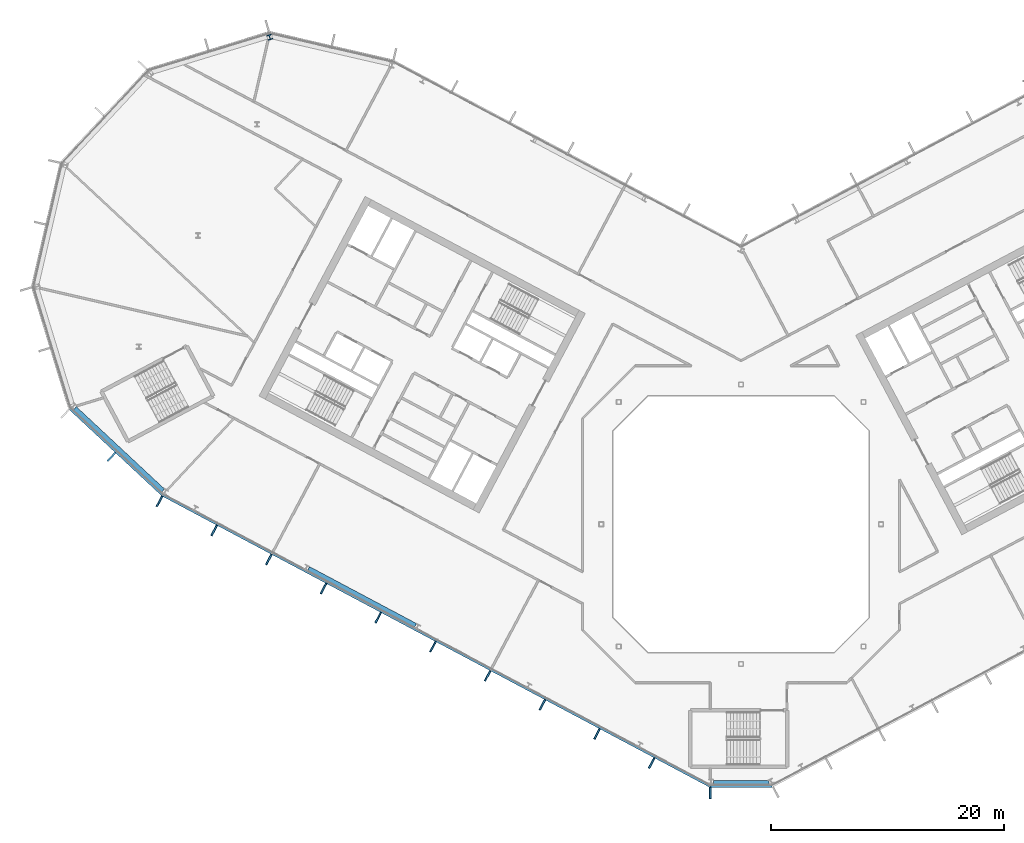
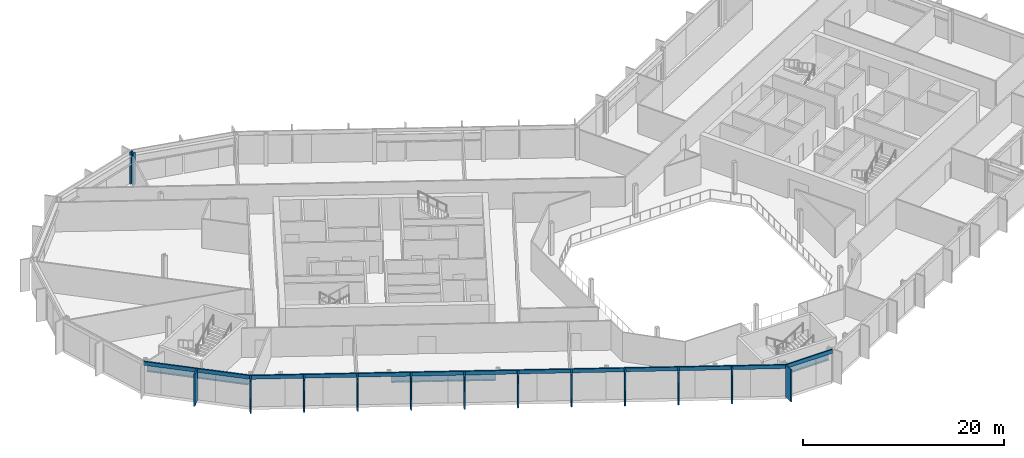
# One storey, part 8 of 26: 15 members, 3 beams, 1 column, 3 elements without a shape of their own.
"""IFC4 building model written with IfcOpenShell, lengths in metres."""

import ifcopenshell
import ifcopenshell.guid

model = None  # the IFC model being written
_history = None  # IfcOwnerHistory: only IFC2X3 demands one
_inside = {}  # id of a spatial element -> (the spatial element, [elements in it])
_under = {}  # id of a project, library or spatial element -> (it, [spatial elements below it])
_declared = {}  # id of a project -> (the project, [libraries it declares])
_typed = {}  # id of a type object -> (the type object, [elements of that type])
_made_of = {}  # id of a material, layer set ... -> (it, [elements and type objects made of it])


def new_model(schema):
    """Start an empty IFC model of exactly this schema.

    Asked for "IFC4X3", IfcOpenShell would pick the latest addendum, in which some entities
    have other attributes; the version numbers below select the first issue.
    IFC2X3 requires an IfcOwnerHistory on every rooted entity: one is made here for all.
    """
    global model, _history
    if schema == "IFC4X3":
        model = ifcopenshell.file(schema_version=(4, 3, 0, 0))
    else:
        model = ifcopenshell.file(schema=schema)
    _inside.clear()
    _under.clear()
    _declared.clear()
    _typed.clear()
    _made_of.clear()
    _history = None
    if model.schema == "IFC2X3":
        org = make("IfcOrganization", Name="unknown")
        user = make(
            "IfcPersonAndOrganization",
            ThePerson=make("IfcPerson", FamilyName="unknown"),
            TheOrganization=org,
        )
        app = make(
            "IfcApplication",
            ApplicationDeveloper=org,
            Version="unknown",
            ApplicationFullName="unknown",
            ApplicationIdentifier="unknown",
        )
        _history = make(
            "IfcOwnerHistory",
            OwningUser=user,
            OwningApplication=app,
            ChangeAction="ADDED",
            CreationDate=0,
        )
    return model


def make(cls, **values):
    """One entity of the class cls with the attributes given. An attribute that is None is left unset."""
    return model.create_entity(
        cls, **{name: value for name, value in values.items() if value is not None}
    )


def rooted(cls, **values):
    """An entity with a GlobalId (a new one), such as an element, a storey or a relation."""
    return make(cls, GlobalId=ifcopenshell.guid.new(), OwnerHistory=_history, **values)


def si_unit(unit_type, name, prefix=None):
    """IfcSIUnit, for example si_unit("LENGTHUNIT", "METRE", prefix="MILLI")."""
    return make("IfcSIUnit", UnitType=unit_type, Prefix=prefix, Name=name)


def assignment(units):
    """IfcUnitAssignment: the units of a project."""
    return None if units is None else make("IfcUnitAssignment", Units=units)


def point(xyz):
    """IfcCartesianPoint."""
    return None if xyz is None else make("IfcCartesianPoint", Coordinates=xyz)


def direction(xyz):
    """IfcDirection."""
    return None if xyz is None else make("IfcDirection", DirectionRatios=xyz)


def frame(location, z_axis=None, x_axis=None):
    """IfcAxis2Placement3D, a coordinate frame: its origin and axes. An axis left out is left unset."""
    return make(
        "IfcAxis2Placement3D",
        Location=point(location),
        Axis=direction(z_axis),
        RefDirection=direction(x_axis),
    )


def frame_2d(location, x_axis=None):
    """IfcAxis2Placement2D, a coordinate frame in the plane: its origin and x axis."""
    return make(
        "IfcAxis2Placement2D", Location=point(location), RefDirection=direction(x_axis)
    )


def origin():
    """The frame at (0, 0, 0) with its axes left unset."""
    return frame((0.0, 0.0, 0.0))


def origin_2d():
    """The frame at (0, 0) in the plane with its x axis left unset."""
    return frame_2d((0.0, 0.0))


def place(relative_to, where):
    """IfcLocalPlacement: puts the frame where relative to a parent placement (None: the world)."""
    return make(
        "IfcLocalPlacement", PlacementRelTo=relative_to, RelativePlacement=where
    )


def context(
    kind, dimensions, precision=None, world=None, true_north=None, identifier=None
):
    """IfcGeometricRepresentationContext, for example the 3D "Model" context."""
    return make(
        "IfcGeometricRepresentationContext",
        ContextIdentifier=identifier,
        ContextType=kind,
        CoordinateSpaceDimension=dimensions,
        Precision=precision,
        WorldCoordinateSystem=world,
        TrueNorth=true_north,
    )


def subcontext(parent, identifier, kind, view, scale=None):
    """IfcGeometricRepresentationSubContext, for example "Body" below "Model"."""
    return make(
        "IfcGeometricRepresentationSubContext",
        ContextIdentifier=identifier,
        ContextType=kind,
        ParentContext=parent,
        TargetScale=scale,
        TargetView=view,
    )


def project(units=None, contexts=None):
    """IfcProject with its units and contexts."""
    return rooted(
        "IfcProject",
        Name="project",
        RepresentationContexts=contexts,
        UnitsInContext=assignment(units),
    )


def spatial(cls, under=None, at=None, **own):
    """A site, building, storey or space (cls), placed at a placement, below another one or the project."""
    s = rooted(cls, ObjectPlacement=at, **own)
    if under is not None:
        _under.setdefault(under.id(), (under, []))[1].append(s)
    return s


def profile(cls, at=None, kind="AREA", **sizes):
    """A parametric profile (cls). Its sizes go by their IFC names, for example OverallWidth=200.0."""
    return make(cls, ProfileType=kind, Position=at, **sizes)


def rectangle(**sizes):
    """IfcRectangleProfileDef."""
    return profile("IfcRectangleProfileDef", **sizes)


def i_section(**sizes):
    """IfcIShapeProfileDef."""
    return profile("IfcIShapeProfileDef", **sizes)


def extrude(swept, where, along, depth):
    """IfcExtrudedAreaSolid: the profile swept, set in the frame where, extruded along a direction by depth."""
    return make(
        "IfcExtrudedAreaSolid",
        SweptArea=swept,
        Position=where,
        ExtrudedDirection=direction(along),
        Depth=depth,
    )


def shape(context_of_items, identifier, shape_type, items):
    """IfcShapeRepresentation: the items that make up one representation, for example the "Body"."""
    return make(
        "IfcShapeRepresentation",
        ContextOfItems=context_of_items,
        RepresentationIdentifier=identifier,
        RepresentationType=shape_type,
        Items=items,
    )


def material(Name=None, Category=None):
    """IfcMaterial."""
    return make("IfcMaterial", Name=Name, Category=Category)


def layer(
    of_material, thickness, ventilated=None, Name=None, Category=None, Priority=None
):
    """IfcMaterialLayer: one layer of a wall or slab, of a material (None: an air gap)."""
    return make(
        "IfcMaterialLayer",
        Material=of_material,
        LayerThickness=thickness,
        IsVentilated=ventilated,
        Name=Name,
        Category=Category,
        Priority=Priority,
    )


def layer_set(layers, Name=None):
    """IfcMaterialLayerSet."""
    return make("IfcMaterialLayerSet", MaterialLayers=layers, LayerSetName=Name)


def material_profile(
    of_material, cross_section, Name=None, Category=None, Priority=None
):
    """IfcMaterialProfile: a cross section and its material."""
    return make(
        "IfcMaterialProfile",
        Name=Name,
        Material=of_material,
        Profile=cross_section,
        Priority=Priority,
        Category=Category,
    )


def profile_set(profiles, Name=None, composite=None):
    """IfcMaterialProfileSet."""
    return make(
        "IfcMaterialProfileSet",
        Name=Name,
        MaterialProfiles=profiles,
        CompositeProfile=composite,
    )


def made_of(thing, what):
    """Note that an element or type object is made of a material, layer set ...; save() writes the relation."""
    if what is not None:
        _made_of.setdefault(what.id(), (what, []))[1].append(thing)
    return thing


def type_object(cls, material=None, **own):
    """A type object (cls), such as IfcWallType, which elements share."""
    return made_of(rooted(cls, **own), material)


def element(
    cls,
    number,
    at=None,
    inside=None,
    cuts=None,
    type_object=None,
    material=None,
    context=None,
    identifier="Body",
    shape_type=None,
    held_by="IfcProductDefinitionShape",
    body=None,
    shapes=None,
    **own,
):
    """One element of the class cls, such as IfcWall. Its Tag is "e" and its number.

    at: its placement. inside: the storey or other place that contains it. cuts: it is an
    opening in that element (IfcRelVoidsElement). A single representation is given by context,
    identifier, shape_type and body (its items); several are given by shapes. held_by: the class
    of the entity that holds the representations. save() writes the other relations.
    """
    e = rooted(cls, Tag="e%d" % number, ObjectPlacement=at, **own)
    if body is not None:
        shapes = [shape(context, identifier, shape_type, body)]
    if shapes is not None:
        e.Representation = make(held_by, Representations=shapes)
    if inside is not None:
        _inside.setdefault(inside.id(), (inside, []))[1].append(e)
    if cuts is not None:
        rooted(
            "IfcRelVoidsElement", RelatingBuildingElement=cuts, RelatedOpeningElement=e
        )
    if type_object is not None:
        _typed.setdefault(type_object.id(), (type_object, []))[1].append(e)
    return made_of(e, material)


def aggregate(whole, parts):
    """IfcRelAggregates: a whole, such as a stair, and the parts it consists of."""
    return rooted("IfcRelAggregates", RelatingObject=whole, RelatedObjects=parts)


def save(model, path):
    """Write the relations noted so far, then the file.

    IfcRelAggregates (storeys below a building ...), IfcRelContainedInSpatialStructure (elements
    in a storey), IfcRelDefinesByType, IfcRelAssociatesMaterial and IfcRelDeclares: one each for
    every whole, place, type object, material and project.
    """
    for whole, parts in _under.values():
        aggregate(whole, parts)
    for where, things in _inside.values():
        rooted(
            "IfcRelContainedInSpatialStructure",
            RelatedElements=things,
            RelatingStructure=where,
        )
    for kind, things in _typed.values():
        rooted("IfcRelDefinesByType", RelatedObjects=things, RelatingType=kind)
    for what, things in _made_of.values():
        rooted("IfcRelAssociatesMaterial", RelatedObjects=things, RelatingMaterial=what)
    for by, libraries in _declared.values():
        rooted("IfcRelDeclares", RelatingContext=by, RelatedDefinitions=libraries)
    model.write(path)


model = new_model("IFC4")

# Units and contexts
model_context = context("Model", 3, precision=1e-05, world=origin(), true_north=direction((0.0, 1.0)))
body_context = subcontext(model_context, "Body", "Model", "MODEL_VIEW")
ifc_project = project(units=[si_unit("LENGTHUNIT", "METRE"), si_unit("AREAUNIT", "SQUARE_METRE"), si_unit("VOLUMEUNIT", "CUBIC_METRE"), si_unit("PLANEANGLEUNIT", "RADIAN"), si_unit("MASSUNIT", "GRAM", prefix="KILO")], contexts=[model_context])

# Site, building, storey
site_placement = place(None, origin())
site = spatial("IfcSite", under=ifc_project, at=site_placement, CompositionType="ELEMENT")
building_placement = place(site_placement, origin())
building = spatial("IfcBuilding", under=site, at=building_placement, Name="Cormorant Relay Tower", CompositionType="ELEMENT")
storey_placement = place(building_placement, frame((0.0, 0.0, 236.39990234375)))
storey = spatial("IfcBuildingStorey", under=building, at=storey_placement, Name="L52", CompositionType="ELEMENT", Elevation=236.39990234375)

# Column
ifc_material_1 = material(Name="Steel ASTM A992 (Fy 345 MPa)", Category="steel")
ifc_material_profile_1 = material_profile(ifc_material_1, i_section(OverallWidth=0.41162109375, OverallDepth=0.434326171875, WebThickness=0.035888671875, FlangeThickness=0.057373046875, FilletRadius=0.01513671875, at=origin_2d()), Name="W360x463")
ifc_profile_set_1 = profile_set([ifc_material_profile_1], Name="Steel ASTM A992 (Fy 345 MPa)")
column_type = type_object("IfcColumnType", Name="Column W360x463", PredefinedType="COLUMN", material=ifc_profile_set_1)
column_placement = place(storey_placement, frame((-40.455078125, 41.803955078125, 0.0), z_axis=(0.0, 0.0, 1.0), x_axis=(-0.956304755963, -0.292371704723, 0.0)))
element("IfcColumn", 1, at=column_placement, inside=storey, type_object=column_type, Name="Column L52-045", PredefinedType="COLUMN", context=body_context, shape_type="SweptSolid", body=[
    extrude(i_section(OverallWidth=0.41162109375, OverallDepth=0.434326171875, WebThickness=0.035888671875, FlangeThickness=0.057373046875, FilletRadius=0.01513671875, at=origin_2d()), origin(), (0.0, 0.0, 1.0), 3.900146484375),
])

# Curtain wall, member
ifc_material_2 = material(Name="Aluminium 6063-T6 anodised bronze", Category="aluminium")
ifc_layer = layer(ifc_material_2, 0.199951171875)
ifc_layer_set = layer_set([ifc_layer], Name="CW1 unitised bronze curtain wall with vertical fins")
curtain_wall_type = type_object("IfcCurtainWallType", Name="CW1 unitised bronze curtain wall with vertical fins", PredefinedType="NOTDEFINED", material=ifc_layer_set)
curtain_wall_1_placement = place(storey_placement, origin())
curtain_wall_1 = element("IfcCurtainWall", 2, at=curtain_wall_1_placement, inside=storey, type_object=curtain_wall_type, Name="CW1 curtain wall 1", PredefinedType="NOTDEFINED")
ifc_material_3 = material(Name="Aluminium 6063-T6 anodised bronze", Category="aluminium")
ifc_material_profile_2 = material_profile(ifc_material_3, rectangle(XDim=0.14990234375, YDim=1.0, at=origin_2d()), Name="AL 150x1000")
ifc_profile_set_2 = profile_set([ifc_material_profile_2], Name="Aluminium 6063-T6 anodised bronze")
member_type_1 = type_object("IfcMemberType", Name="CW1 bronze fin mullion 150 x 1000", PredefinedType="MULLION", material=ifc_profile_set_2)
member_1_placement = place(storey_placement, frame((-2.648681640625, -23.07568359375, 0.0), z_axis=(0.0, 0.0, 1.0), x_axis=(1.0, 0.0, 0.0)))
member_1 = element("IfcMember", 3, at=member_1_placement, type_object=member_type_1, Name="CW1 fin 1.1", PredefinedType="MULLION", context=body_context, shape_type="SweptSolid", body=[
    extrude(rectangle(XDim=0.14990234375, YDim=1.0, at=origin_2d()), origin(), (0.0, 0.0, 1.0), 3.900146484375),
])

curtain_wall_2_placement = place(storey_placement, origin())
curtain_wall_2 = element("IfcCurtainWall", 4, at=curtain_wall_2_placement, inside=storey, type_object=curtain_wall_type, Name="CW1 curtain wall 15", PredefinedType="NOTDEFINED")
member_2_placement = place(storey_placement, frame((-54.0439453125, 5.779296875, 0.0), z_axis=(0.0, 0.0, 1.0), x_axis=(0.731353701619, -0.681998360062, 0.0)))
member_2 = element("IfcMember", 5, at=member_2_placement, type_object=member_type_1, Name="CW1 fin 15.2", PredefinedType="MULLION", context=body_context, shape_type="SweptSolid", body=[
    extrude(rectangle(XDim=0.14990234375, YDim=1.0, at=origin_2d()), origin(), (0.0, 0.0, 1.0), 3.900146484375),
])

# Curtain wall, members
curtain_wall_3_placement = place(storey_placement, origin())
curtain_wall_3 = element("IfcCurtainWall", 6, at=curtain_wall_3_placement, inside=storey, type_object=curtain_wall_type, Name="CW1 curtain wall 16", PredefinedType="NOTDEFINED")
member_3_placement = place(storey_placement, frame((-49.920166015625, 1.96630859375, 0.0), z_axis=(0.0, 0.0, 1.0), x_axis=(0.882947592859, -0.469471562786, 0.0)))
member_3 = element("IfcMember", 7, at=member_3_placement, type_object=member_type_1, Name="CW1 fin 16.1", PredefinedType="MULLION", context=body_context, shape_type="SweptSolid", body=[
    extrude(rectangle(XDim=0.14990234375, YDim=1.0, at=origin_2d()), origin(), (0.0, 0.0, 1.0), 3.900146484375),
])
member_4_placement = place(storey_placement, frame((-45.225830078125, -0.52978515625, 0.0), z_axis=(0.0, 0.0, 1.0), x_axis=(0.882947592859, -0.469471562786, 0.0)))
member_4 = element("IfcMember", 8, at=member_4_placement, type_object=member_type_1, Name="CW1 fin 16.2", PredefinedType="MULLION", context=body_context, shape_type="SweptSolid", body=[
    extrude(rectangle(XDim=0.14990234375, YDim=1.0, at=origin_2d()), origin(), (0.0, 0.0, 1.0), 3.900146484375),
])
member_5_placement = place(storey_placement, frame((-40.531494140625, -3.025634765625, 0.0), z_axis=(0.0, 0.0, 1.0), x_axis=(0.882947592859, -0.469471562786, 0.0)))
member_5 = element("IfcMember", 9, at=member_5_placement, type_object=member_type_1, Name="CW1 fin 16.3", PredefinedType="MULLION", context=body_context, shape_type="SweptSolid", body=[
    extrude(rectangle(XDim=0.14990234375, YDim=1.0, at=origin_2d()), origin(), (0.0, 0.0, 1.0), 3.900146484375),
])
member_6_placement = place(storey_placement, frame((-35.83740234375, -5.521728515625, 0.0), z_axis=(0.0, 0.0, 1.0), x_axis=(0.882947592859, -0.469471562786, 0.0)))
member_6 = element("IfcMember", 10, at=member_6_placement, type_object=member_type_1, Name="CW1 fin 16.4", PredefinedType="MULLION", context=body_context, shape_type="SweptSolid", body=[
    extrude(rectangle(XDim=0.14990234375, YDim=1.0, at=origin_2d()), origin(), (0.0, 0.0, 1.0), 3.900146484375),
])
member_7_placement = place(storey_placement, frame((-31.14306640625, -8.017578125, 0.0), z_axis=(0.0, 0.0, 1.0), x_axis=(0.882947592859, -0.469471562786, 0.0)))
member_7 = element("IfcMember", 11, at=member_7_placement, type_object=member_type_1, Name="CW1 fin 16.5", PredefinedType="MULLION", context=body_context, shape_type="SweptSolid", body=[
    extrude(rectangle(XDim=0.14990234375, YDim=1.0, at=origin_2d()), origin(), (0.0, 0.0, 1.0), 3.900146484375),
])
member_8_placement = place(storey_placement, frame((-26.44873046875, -10.513671875, 0.0), z_axis=(0.0, 0.0, 1.0), x_axis=(0.882947592859, -0.469471562786, 0.0)))
member_8 = element("IfcMember", 12, at=member_8_placement, type_object=member_type_1, Name="CW1 fin 16.6", PredefinedType="MULLION", context=body_context, shape_type="SweptSolid", body=[
    extrude(rectangle(XDim=0.14990234375, YDim=1.0, at=origin_2d()), origin(), (0.0, 0.0, 1.0), 3.900146484375),
])
member_9_placement = place(storey_placement, frame((-21.754638671875, -13.009765625, 0.0), z_axis=(0.0, 0.0, 1.0), x_axis=(0.882947592859, -0.469471562786, 0.0)))
member_9 = element("IfcMember", 13, at=member_9_placement, type_object=member_type_1, Name="CW1 fin 16.7", PredefinedType="MULLION", context=body_context, shape_type="SweptSolid", body=[
    extrude(rectangle(XDim=0.14990234375, YDim=1.0, at=origin_2d()), origin(), (0.0, 0.0, 1.0), 3.900146484375),
])
member_10_placement = place(storey_placement, frame((-17.060302734375, -15.505615234375, 0.0), z_axis=(0.0, 0.0, 1.0), x_axis=(0.882947592859, -0.469471562786, 0.0)))
member_10 = element("IfcMember", 14, at=member_10_placement, type_object=member_type_1, Name="CW1 fin 16.8", PredefinedType="MULLION", context=body_context, shape_type="SweptSolid", body=[
    extrude(rectangle(XDim=0.14990234375, YDim=1.0, at=origin_2d()), origin(), (0.0, 0.0, 1.0), 3.900146484375),
])
member_11_placement = place(storey_placement, frame((-12.365966796875, -18.001708984375, 0.0), z_axis=(0.0, 0.0, 1.0), x_axis=(0.882947592859, -0.469471562786, 0.0)))
member_11 = element("IfcMember", 15, at=member_11_placement, type_object=member_type_1, Name="CW1 fin 16.9", PredefinedType="MULLION", context=body_context, shape_type="SweptSolid", body=[
    extrude(rectangle(XDim=0.14990234375, YDim=1.0, at=origin_2d()), origin(), (0.0, 0.0, 1.0), 3.900146484375),
])
member_12_placement = place(storey_placement, frame((-7.671630859375, -20.49755859375, 0.0), z_axis=(0.0, 0.0, 1.0), x_axis=(0.882947592859, -0.469471562786, 0.0)))
member_12 = element("IfcMember", 16, at=member_12_placement, type_object=member_type_1, Name="CW1 fin 16.10", PredefinedType="MULLION", context=body_context, shape_type="SweptSolid", body=[
    extrude(rectangle(XDim=0.14990234375, YDim=1.0, at=origin_2d()), origin(), (0.0, 0.0, 1.0), 3.900146484375),
])

# Member
ifc_material_4 = material(Name="Aluminium 6063-T6 anodised bronze", Category="aluminium")
ifc_material_profile_3 = material_profile(ifc_material_4, rectangle(XDim=0.159912109375, YDim=0.449951171875, at=origin_2d()), Name="AL 160x450")
ifc_profile_set_3 = profile_set([ifc_material_profile_3], Name="Aluminium 6063-T6 anodised bronze")
member_type_2 = type_object("IfcMemberType", Name="CW1 bronze transom 160 x 450", PredefinedType="USERDEFINED", material=ifc_profile_set_3)
member_13_placement = place(storey_placement, frame((-2.648681640625, -22.49560546875, 3.675048828125), z_axis=(1.0, 0.0, 0.0), x_axis=(0.0, 1.0, 0.0)))
member_13 = element("IfcMember", 17, at=member_13_placement, type_object=member_type_2, Name="CW1 transom 1", ObjectType="TRANSOM", PredefinedType="USERDEFINED", context=body_context, shape_type="SweptSolid", body=[
    extrude(rectangle(XDim=0.159912109375, YDim=0.449951171875, at=origin_2d()), origin(), (0.0, 0.0, 1.0), 5.29736328125),
])

aggregate(curtain_wall_1, [member_1, member_13])

member_14_placement = place(storey_placement, frame((-57.62353515625, 9.91015625, 3.675048828125), z_axis=(0.731358420696, -0.681993299437, 0.0), x_axis=(0.681993299437, 0.731358420696, 0.0)))
member_14 = element("IfcMember", 18, at=member_14_placement, type_object=member_type_2, Name="CW1 transom 15", ObjectType="TRANSOM", PredefinedType="USERDEFINED", context=body_context, shape_type="SweptSolid", body=[
    extrude(rectangle(XDim=0.159912109375, YDim=0.449951171875, at=origin_2d()), origin(), (0.0, 0.0, 1.0), 10.870361328125),
])

aggregate(curtain_wall_2, [member_2, member_14])

member_15_placement = place(storey_placement, frame((-49.64794921875, 2.478515625, 3.675048828125), z_axis=(0.882947642542, -0.469471469346, 0.0), x_axis=(0.469471469346, 0.882947642542, 0.0)))
member_15 = element("IfcMember", 19, at=member_15_placement, type_object=member_type_2, Name="CW1 transom 16", ObjectType="TRANSOM", PredefinedType="USERDEFINED", context=body_context, shape_type="SweptSolid", body=[
    extrude(rectangle(XDim=0.159912109375, YDim=0.449951171875, at=origin_2d()), origin(), (0.0, 0.0, 1.0), 53.166015625),
])

aggregate(curtain_wall_3, [member_3, member_4, member_5, member_6, member_7, member_8, member_9, member_10, member_11, member_12, member_15])

# Beams
ifc_material_5 = material(Name="Steel ASTM A992 (Fy 345 MPa)", Category="steel")
ifc_material_profile_4 = material_profile(ifc_material_5, i_section(OverallWidth=0.4013671875, OverallDepth=0.990478515625, WebThickness=0.0166015625, FlangeThickness=0.031005859375, FilletRadius=0.030029296875, at=origin_2d()), Name="W1000x320")
ifc_profile_set_4 = profile_set([ifc_material_profile_4], Name="Steel ASTM A992 (Fy 345 MPa)")
beam_type = type_object("IfcBeamType", Name="Spandrel W1000x320", PredefinedType="SPANDREL", material=ifc_profile_set_4)
beam_1_placement = place(storey_placement, frame((-2.3701171875, -22.1748046875, 3.044677734375), z_axis=(1.0, 0.0, 0.0), x_axis=(0.0, 1.0, 0.0)))
element("IfcBeam", 20, at=beam_1_placement, inside=storey, type_object=beam_type, Name="Spandrel beam L52-001", PredefinedType="SPANDREL", context=body_context, shape_type="SweptSolid", body=[
    extrude(i_section(OverallWidth=0.4013671875, OverallDepth=0.990478515625, WebThickness=0.0166015625, FlangeThickness=0.031005859375, FilletRadius=0.030029296875, at=origin_2d()), origin(), (0.0, 0.0, 1.0), 4.761474609375),
])
beam_2_placement = place(storey_placement, frame((-57.19580078125, 9.94970703125, 3.044677734375), z_axis=(0.731351589689, -0.682000624824, 0.0), x_axis=(0.682000624824, 0.731351589689, 0.0)))
element("IfcBeam", 21, at=beam_2_placement, inside=storey, type_object=beam_type, Name="Spandrel beam L52-015", PredefinedType="SPANDREL", context=body_context, shape_type="SweptSolid", body=[
    extrude(i_section(OverallWidth=0.4013671875, OverallDepth=0.990478515625, WebThickness=0.0166015625, FlangeThickness=0.031005859375, FilletRadius=0.030029296875, at=origin_2d()), origin(), (0.0, 0.0, 1.0), 10.354248046875),
])
beam_3_placement = place(storey_placement, frame((-37.134033203125, -3.812255859375, 3.044677734375), z_axis=(0.882949648898, -0.469467695918, 0.0), x_axis=(0.469467695918, 0.882949648898, 0.0)))
element("IfcBeam", 22, at=beam_3_placement, inside=storey, type_object=beam_type, Name="Spandrel beam L52-016", PredefinedType="SPANDREL", context=body_context, shape_type="SweptSolid", body=[
    extrude(i_section(OverallWidth=0.4013671875, OverallDepth=0.990478515625, WebThickness=0.0166015625, FlangeThickness=0.031005859375, FilletRadius=0.030029296875, at=origin_2d()), origin(), (0.0, 0.0, 1.0), 10.39599609375),
])

save(model, "model.ifc")
